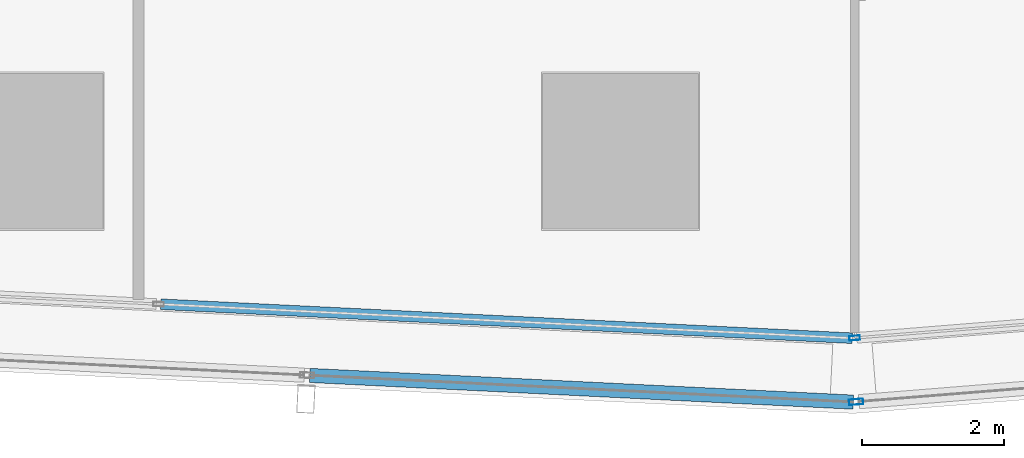
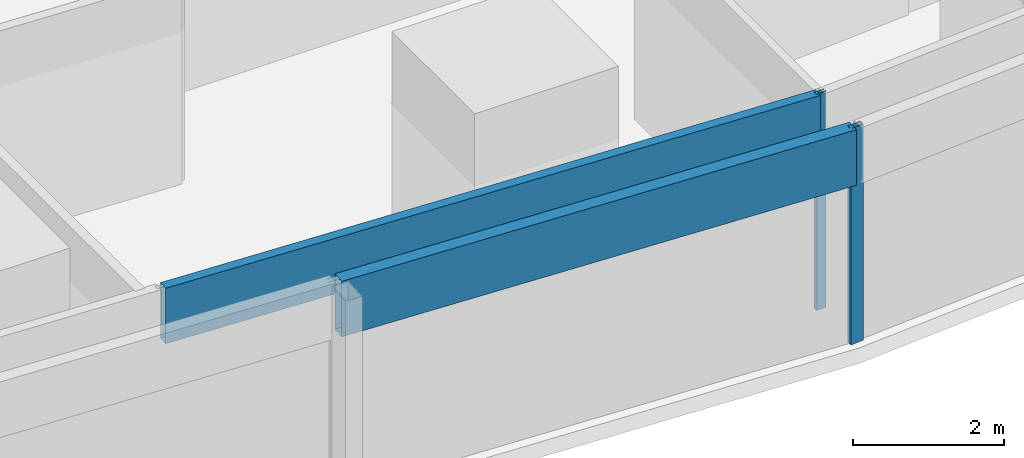
# One storey, part 7 of 42: 4 members, 4 elements without a shape of their own.
"""IFC4 building model written with IfcOpenShell, lengths in metres."""

import ifcopenshell
import ifcopenshell.guid

model = None  # the IFC model being written
_history = None  # IfcOwnerHistory: only IFC2X3 demands one
_inside = {}  # id of a spatial element -> (the spatial element, [elements in it])
_under = {}  # id of a project, library or spatial element -> (it, [spatial elements below it])
_declared = {}  # id of a project -> (the project, [libraries it declares])
_typed = {}  # id of a type object -> (the type object, [elements of that type])
_made_of = {}  # id of a material, layer set ... -> (it, [elements and type objects made of it])


def new_model(schema):
    """Start an empty IFC model of exactly this schema.

    Asked for "IFC4X3", IfcOpenShell would pick the latest addendum, in which some entities
    have other attributes; the version numbers below select the first issue.
    IFC2X3 requires an IfcOwnerHistory on every rooted entity: one is made here for all.
    """
    global model, _history
    if schema == "IFC4X3":
        model = ifcopenshell.file(schema_version=(4, 3, 0, 0))
    else:
        model = ifcopenshell.file(schema=schema)
    _inside.clear()
    _under.clear()
    _declared.clear()
    _typed.clear()
    _made_of.clear()
    _history = None
    if model.schema == "IFC2X3":
        org = make("IfcOrganization", Name="unknown")
        user = make(
            "IfcPersonAndOrganization",
            ThePerson=make("IfcPerson", FamilyName="unknown"),
            TheOrganization=org,
        )
        app = make(
            "IfcApplication",
            ApplicationDeveloper=org,
            Version="unknown",
            ApplicationFullName="unknown",
            ApplicationIdentifier="unknown",
        )
        _history = make(
            "IfcOwnerHistory",
            OwningUser=user,
            OwningApplication=app,
            ChangeAction="ADDED",
            CreationDate=0,
        )
    return model


def make(cls, **values):
    """One entity of the class cls with the attributes given. An attribute that is None is left unset."""
    return model.create_entity(
        cls, **{name: value for name, value in values.items() if value is not None}
    )


def rooted(cls, **values):
    """An entity with a GlobalId (a new one), such as an element, a storey or a relation."""
    return make(cls, GlobalId=ifcopenshell.guid.new(), OwnerHistory=_history, **values)


def si_unit(unit_type, name, prefix=None):
    """IfcSIUnit, for example si_unit("LENGTHUNIT", "METRE", prefix="MILLI")."""
    return make("IfcSIUnit", UnitType=unit_type, Prefix=prefix, Name=name)


def assignment(units):
    """IfcUnitAssignment: the units of a project."""
    return None if units is None else make("IfcUnitAssignment", Units=units)


def point(xyz):
    """IfcCartesianPoint."""
    return None if xyz is None else make("IfcCartesianPoint", Coordinates=xyz)


def direction(xyz):
    """IfcDirection."""
    return None if xyz is None else make("IfcDirection", DirectionRatios=xyz)


def frame(location, z_axis=None, x_axis=None):
    """IfcAxis2Placement3D, a coordinate frame: its origin and axes. An axis left out is left unset."""
    return make(
        "IfcAxis2Placement3D",
        Location=point(location),
        Axis=direction(z_axis),
        RefDirection=direction(x_axis),
    )


def frame_2d(location, x_axis=None):
    """IfcAxis2Placement2D, a coordinate frame in the plane: its origin and x axis."""
    return make(
        "IfcAxis2Placement2D", Location=point(location), RefDirection=direction(x_axis)
    )


def origin():
    """The frame at (0, 0, 0) with its axes left unset."""
    return frame((0.0, 0.0, 0.0))


def origin_2d():
    """The frame at (0, 0) in the plane with its x axis left unset."""
    return frame_2d((0.0, 0.0))


def place(relative_to, where):
    """IfcLocalPlacement: puts the frame where relative to a parent placement (None: the world)."""
    return make(
        "IfcLocalPlacement", PlacementRelTo=relative_to, RelativePlacement=where
    )


def context(
    kind, dimensions, precision=None, world=None, true_north=None, identifier=None
):
    """IfcGeometricRepresentationContext, for example the 3D "Model" context."""
    return make(
        "IfcGeometricRepresentationContext",
        ContextIdentifier=identifier,
        ContextType=kind,
        CoordinateSpaceDimension=dimensions,
        Precision=precision,
        WorldCoordinateSystem=world,
        TrueNorth=true_north,
    )


def subcontext(parent, identifier, kind, view, scale=None):
    """IfcGeometricRepresentationSubContext, for example "Body" below "Model"."""
    return make(
        "IfcGeometricRepresentationSubContext",
        ContextIdentifier=identifier,
        ContextType=kind,
        ParentContext=parent,
        TargetScale=scale,
        TargetView=view,
    )


def project(units=None, contexts=None):
    """IfcProject with its units and contexts."""
    return rooted(
        "IfcProject",
        Name="project",
        RepresentationContexts=contexts,
        UnitsInContext=assignment(units),
    )


def spatial(cls, under=None, at=None, **own):
    """A site, building, storey or space (cls), placed at a placement, below another one or the project."""
    s = rooted(cls, ObjectPlacement=at, **own)
    if under is not None:
        _under.setdefault(under.id(), (under, []))[1].append(s)
    return s


def profile(cls, at=None, kind="AREA", **sizes):
    """A parametric profile (cls). Its sizes go by their IFC names, for example OverallWidth=200.0."""
    return make(cls, ProfileType=kind, Position=at, **sizes)


def hollow_rectangle(**sizes):
    """IfcRectangleHollowProfileDef."""
    return profile("IfcRectangleHollowProfileDef", **sizes)


def extrude(swept, where, along, depth):
    """IfcExtrudedAreaSolid: the profile swept, set in the frame where, extruded along a direction by depth."""
    return make(
        "IfcExtrudedAreaSolid",
        SweptArea=swept,
        Position=where,
        ExtrudedDirection=direction(along),
        Depth=depth,
    )


def shape(context_of_items, identifier, shape_type, items):
    """IfcShapeRepresentation: the items that make up one representation, for example the "Body"."""
    return make(
        "IfcShapeRepresentation",
        ContextOfItems=context_of_items,
        RepresentationIdentifier=identifier,
        RepresentationType=shape_type,
        Items=items,
    )


def material(Name=None, Category=None):
    """IfcMaterial."""
    return make("IfcMaterial", Name=Name, Category=Category)


def material_profile(
    of_material, cross_section, Name=None, Category=None, Priority=None
):
    """IfcMaterialProfile: a cross section and its material."""
    return make(
        "IfcMaterialProfile",
        Name=Name,
        Material=of_material,
        Profile=cross_section,
        Priority=Priority,
        Category=Category,
    )


def profile_set(profiles, Name=None, composite=None):
    """IfcMaterialProfileSet."""
    return make(
        "IfcMaterialProfileSet",
        Name=Name,
        MaterialProfiles=profiles,
        CompositeProfile=composite,
    )


def made_of(thing, what):
    """Note that an element or type object is made of a material, layer set ...; save() writes the relation."""
    if what is not None:
        _made_of.setdefault(what.id(), (what, []))[1].append(thing)
    return thing


def type_object(cls, material=None, **own):
    """A type object (cls), such as IfcWallType, which elements share."""
    return made_of(rooted(cls, **own), material)


def element(
    cls,
    number,
    at=None,
    inside=None,
    cuts=None,
    type_object=None,
    material=None,
    context=None,
    identifier="Body",
    shape_type=None,
    held_by="IfcProductDefinitionShape",
    body=None,
    shapes=None,
    **own,
):
    """One element of the class cls, such as IfcWall. Its Tag is "e" and its number.

    at: its placement. inside: the storey or other place that contains it. cuts: it is an
    opening in that element (IfcRelVoidsElement). A single representation is given by context,
    identifier, shape_type and body (its items); several are given by shapes. held_by: the class
    of the entity that holds the representations. save() writes the other relations.
    """
    e = rooted(cls, Tag="e%d" % number, ObjectPlacement=at, **own)
    if body is not None:
        shapes = [shape(context, identifier, shape_type, body)]
    if shapes is not None:
        e.Representation = make(held_by, Representations=shapes)
    if inside is not None:
        _inside.setdefault(inside.id(), (inside, []))[1].append(e)
    if cuts is not None:
        rooted(
            "IfcRelVoidsElement", RelatingBuildingElement=cuts, RelatedOpeningElement=e
        )
    if type_object is not None:
        _typed.setdefault(type_object.id(), (type_object, []))[1].append(e)
    return made_of(e, material)


def aggregate(whole, parts):
    """IfcRelAggregates: a whole, such as a stair, and the parts it consists of."""
    return rooted("IfcRelAggregates", RelatingObject=whole, RelatedObjects=parts)


def save(model, path):
    """Write the relations noted so far, then the file.

    IfcRelAggregates (storeys below a building ...), IfcRelContainedInSpatialStructure (elements
    in a storey), IfcRelDefinesByType, IfcRelAssociatesMaterial and IfcRelDeclares: one each for
    every whole, place, type object, material and project.
    """
    for whole, parts in _under.values():
        aggregate(whole, parts)
    for where, things in _inside.values():
        rooted(
            "IfcRelContainedInSpatialStructure",
            RelatedElements=things,
            RelatingStructure=where,
        )
    for kind, things in _typed.values():
        rooted("IfcRelDefinesByType", RelatedObjects=things, RelatingType=kind)
    for what, things in _made_of.values():
        rooted("IfcRelAssociatesMaterial", RelatedObjects=things, RelatingMaterial=what)
    for by, libraries in _declared.values():
        rooted("IfcRelDeclares", RelatingContext=by, RelatedDefinitions=libraries)
    model.write(path)


model = new_model("IFC4")

# Units and contexts
model_context = context("Model", 3, precision=1e-05, world=origin(), true_north=direction((0.0, 1.0)))
body_context = subcontext(model_context, "Body", "Model", "MODEL_VIEW")
ifc_project = project(units=[si_unit("LENGTHUNIT", "METRE"), si_unit("AREAUNIT", "SQUARE_METRE"), si_unit("VOLUMEUNIT", "CUBIC_METRE"), si_unit("PLANEANGLEUNIT", "RADIAN"), si_unit("MASSUNIT", "GRAM", prefix="KILO")], contexts=[model_context])

# Site, building, storey
site_placement = place(None, origin())
site = spatial("IfcSite", under=ifc_project, at=site_placement, CompositionType="ELEMENT")
building_placement = place(site_placement, origin())
building = spatial("IfcBuilding", under=site, at=building_placement, Name="Rekha Terrace Tower", CompositionType="ELEMENT")
storey_placement = place(building_placement, frame((0.0, 0.0, 55.39990234375)))
storey = spatial("IfcBuildingStorey", under=building, at=storey_placement, Name="L13", CompositionType="ELEMENT", Elevation=55.39990234375)

# Curtain wall, member
ifc_material_1 = material(Name="Aluminium framing", Category="aluminium")
curtain_wall_type_1 = type_object("IfcCurtainWallType", Name="CW1 double skin inner glazing", PredefinedType="USERDEFINED", material=ifc_material_1)
curtain_wall_1_placement = place(storey_placement, origin())
curtain_wall_1 = element("IfcCurtainWall", 1, at=curtain_wall_1_placement, inside=storey, type_object=curtain_wall_type_1, Name="CW1 double skin inner glazing", ObjectType="DOUBLE SKIN INNER GLAZING", PredefinedType="USERDEFINED")
ifc_material_2 = material(Name="Aluminium mullion section", Category="aluminium")
ifc_material_profile_1 = material_profile(ifc_material_2, hollow_rectangle(XDim=0.06494140625, YDim=0.14990234375, WallThickness=0.00390625, at=origin_2d()), Name="AL RHS 65x150")
ifc_profile_set_1 = profile_set([ifc_material_profile_1], Name="Aluminium mullion section")
member_type_1 = type_object("IfcMemberType", Name="CW1 mullion RHS 65 x 150", PredefinedType="MULLION", material=ifc_profile_set_1)
member_1_placement = place(storey_placement, frame((45.303955078125, 5.7646484375, 0.0), z_axis=(0.0, 0.0, 1.0), x_axis=(-0.079872204468, 0.996805111821, 0.0)))
member_1 = element("IfcMember", 2, at=member_1_placement, type_object=member_type_1, Name="CW1 mullion 1", PredefinedType="MULLION", context=body_context, shape_type="SweptSolid", body=[
    extrude(hollow_rectangle(XDim=0.06494140625, YDim=0.14990234375, WallThickness=0.00390625, at=origin_2d()), origin(), (0.0, 0.0, 1.0), 3.5),
])
aggregate(curtain_wall_1, [member_1])

curtain_wall_2_placement = place(storey_placement, origin())
curtain_wall_2 = element("IfcCurtainWall", 3, at=curtain_wall_2_placement, inside=storey, type_object=curtain_wall_type_1, Name="CW1 double skin inner glazing", ObjectType="DOUBLE SKIN INNER GLAZING", PredefinedType="USERDEFINED")
ifc_material_3 = material(Name="Insulated aluminium spandrel box", Category="aluminium")
ifc_material_profile_2 = material_profile(ifc_material_3, hollow_rectangle(XDim=0.14990234375, YDim=0.89990234375, WallThickness=0.0029296875, at=origin_2d()), Name="AL SPANDREL BOX 150x900")
ifc_profile_set_2 = profile_set([ifc_material_profile_2], Name="Insulated aluminium spandrel box")
member_type_2 = type_object("IfcMemberType", Name="CW1 spandrel transom 150 x 900", PredefinedType="USERDEFINED", material=ifc_profile_set_2)
member_2_placement = place(storey_placement, frame((35.516357421875, 6.2412109375, 3.050048828125), z_axis=(0.998795409084, -0.049068633482, 0.0), x_axis=(0.049068633482, 0.998795409084, 0.0)))
member_2 = element("IfcMember", 4, at=member_2_placement, type_object=member_type_2, Name="CW1 spandrel transom 3", ObjectType="TRANSOM", PredefinedType="USERDEFINED", context=body_context, shape_type="SweptSolid", body=[
    extrude(hollow_rectangle(XDim=0.14990234375, YDim=0.89990234375, WallThickness=0.0029296875, at=origin_2d()), origin(), (0.0, 0.0, 1.0), 9.766845703125),
])
aggregate(curtain_wall_2, [member_2])

curtain_wall_type_2 = type_object("IfcCurtainWallType", Name="CW2 double skin outer glazing", PredefinedType="USERDEFINED", material=ifc_material_1)
curtain_wall_3_placement = place(storey_placement, origin())
curtain_wall_3 = element("IfcCurtainWall", 5, at=curtain_wall_3_placement, inside=storey, type_object=curtain_wall_type_2, Name="CW2 double skin outer glazing", ObjectType="DOUBLE SKIN OUTER GLAZING", PredefinedType="USERDEFINED")
ifc_material_profile_3 = material_profile(ifc_material_2, hollow_rectangle(XDim=0.080078125, YDim=0.199951171875, WallThickness=0.00390625, at=origin_2d()), Name="AL RHS 80x200")
ifc_profile_set_3 = profile_set([ifc_material_profile_3], Name="Aluminium mullion section")
member_type_3 = type_object("IfcMemberType", Name="CW2 mullion RHS 80 x 200", PredefinedType="MULLION", material=ifc_profile_set_3)
member_3_placement = place(storey_placement, frame((45.325439453125, 4.863525390625, 0.0), z_axis=(0.0, 0.0, 1.0), x_axis=(-0.079872204468, 0.996805111821, 0.0)))
member_3 = element("IfcMember", 6, at=member_3_placement, type_object=member_type_3, Name="CW2 mullion 1", PredefinedType="MULLION", context=body_context, shape_type="SweptSolid", body=[
    extrude(hollow_rectangle(XDim=0.080078125, YDim=0.199951171875, WallThickness=0.00390625, at=origin_2d()), origin(), (0.0, 0.0, 1.0), 3.5),
])
aggregate(curtain_wall_3, [member_3])

curtain_wall_4_placement = place(storey_placement, origin())
curtain_wall_4 = element("IfcCurtainWall", 7, at=curtain_wall_4_placement, inside=storey, type_object=curtain_wall_type_2, Name="CW2 double skin outer glazing", ObjectType="DOUBLE SKIN OUTER GLAZING", PredefinedType="USERDEFINED")
ifc_material_profile_4 = material_profile(ifc_material_3, hollow_rectangle(XDim=0.199951171875, YDim=0.89990234375, WallThickness=0.0029296875, at=origin_2d()), Name="AL SPANDREL BOX 200x900")
ifc_profile_set_4 = profile_set([ifc_material_profile_4], Name="Insulated aluminium spandrel box")
member_type_4 = type_object("IfcMemberType", Name="CW2 spandrel transom 200 x 900", PredefinedType="USERDEFINED", material=ifc_profile_set_4)
member_4_placement = place(storey_placement, frame((37.619140625, 5.23681640625, 3.050048828125), z_axis=(0.998796518042, -0.049046055373, 0.0), x_axis=(0.049046055373, 0.998796518042, 0.0)))
member_4 = element("IfcMember", 8, at=member_4_placement, type_object=member_type_4, Name="CW2 spandrel transom 5", ObjectType="TRANSOM", PredefinedType="USERDEFINED", context=body_context, shape_type="SweptSolid", body=[
    extrude(hollow_rectangle(XDim=0.199951171875, YDim=0.89990234375, WallThickness=0.0029296875, at=origin_2d()), origin(), (0.0, 0.0, 1.0), 7.67578125),
])
aggregate(curtain_wall_4, [member_4])

save(model, "model.ifc")
